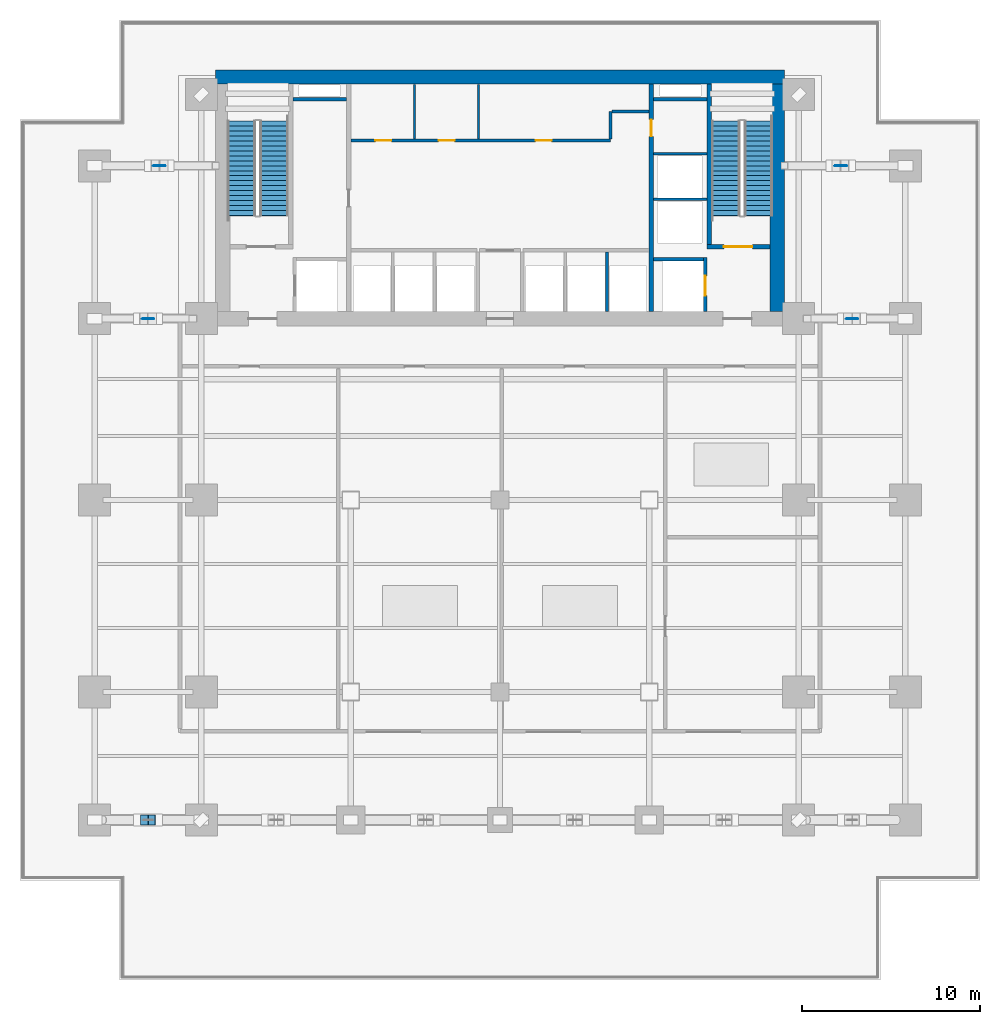
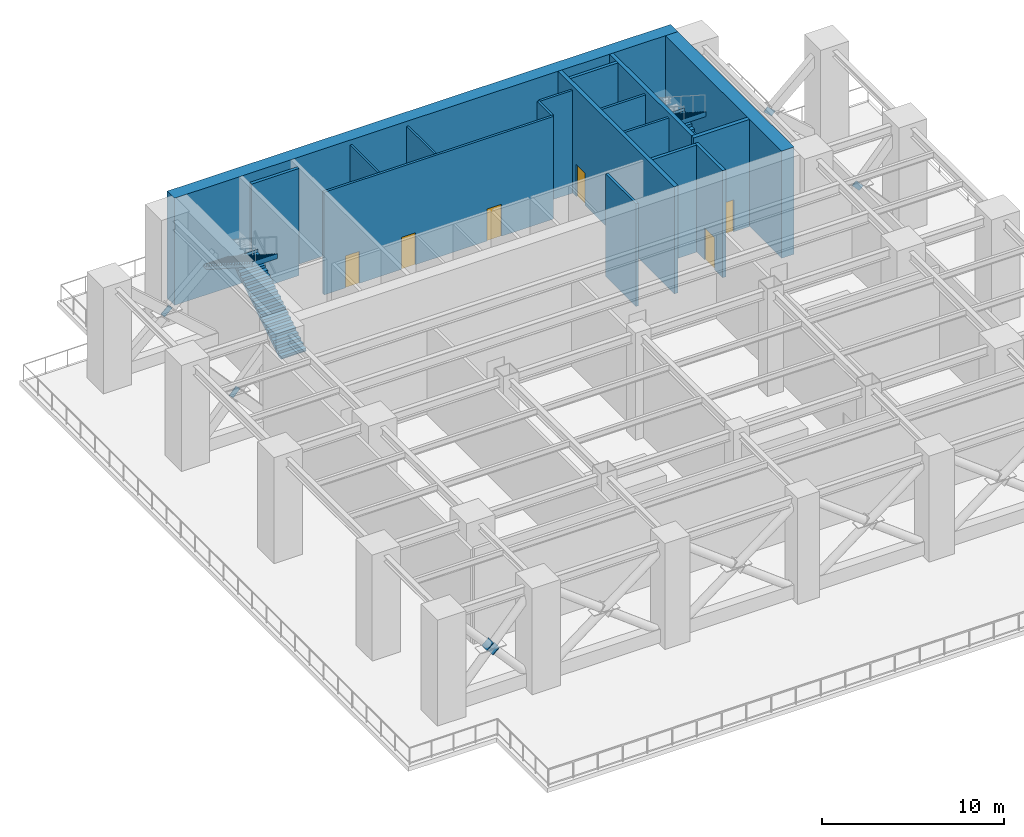
# One storey, part 4 of 10: 17 walls, 6 discrete accessories, 6 doors, 4 stair flights, 6 openings, 2 elements without a shape of their own.
"""IFC4 building model written with IfcOpenShell, lengths in metres."""

from ifc_helpers import new_model, si_unit, direction, frame, frame_2d, origin, origin_2d, place, context, subcontext, project, spatial, polyline, rectangle, outline, extrude, source, transform, mapped, material, layer, layer_set, type_object, element, fill, aggregate, save


model = new_model("IFC4")

# Units and contexts
model_context = context("Model", 3, precision=1e-05, world=origin(), true_north=direction((0.0, 1.0)))
body_context = subcontext(model_context, "Body", "Model", "MODEL_VIEW")
ifc_project = project(units=[si_unit("LENGTHUNIT", "METRE"), si_unit("AREAUNIT", "SQUARE_METRE"), si_unit("VOLUMEUNIT", "CUBIC_METRE"), si_unit("PLANEANGLEUNIT", "RADIAN"), si_unit("MASSUNIT", "GRAM", prefix="KILO")], contexts=[model_context])

# Site, building, storey
site_placement = place(None, origin())
site = spatial("IfcSite", under=ifc_project, at=site_placement, CompositionType="ELEMENT")
building_placement = place(site_placement, origin())
building = spatial("IfcBuilding", under=site, at=building_placement, Name="Sumidabori Civic Tower", CompositionType="ELEMENT")
storey_placement = place(building_placement, frame((0.0, 0.0, 70.39990234375)))
storey = spatial("IfcBuildingStorey", under=building, at=storey_placement, Name="L18", CompositionType="ELEMENT", Elevation=70.39990234375)

# Walls
ifc_material_1 = material(Name="Concrete C60/75", Category="concrete")
ifc_layer_1 = layer(ifc_material_1, 0.800048828125, Name="Concrete C60/75")
ifc_layer_set_1 = layer_set([ifc_layer_1], Name="Concrete C60/75")
wall_type_1 = type_object("IfcWallType", Name="WL-CORE-800", PredefinedType="SHEAR", material=ifc_layer_set_1)
shared_shape_1 = source(origin(), body_context, "Body", "SweptSolid", [
    extrude(rectangle(XDim=32.0, YDim=0.800048828125, at=frame_2d((16.0, 0.0))), origin(), (0.0, 0.0, 1.0), 7.2001953125),
])
wall_1_placement = place(storey_placement, frame((-16.0, 23.800048828125, 0.0), z_axis=(0.0, 0.0, 1.0), x_axis=(1.0, 0.0, 0.0)))
element("IfcWall", 1, at=wall_1_placement, inside=storey, type_object=wall_type_1, Name="Core Shear Wall L18 N", PredefinedType="SHEAR", context=body_context, shape_type="MappedRepresentation", body=[
    mapped(shared_shape_1, transform((0.0, 0.0, 0.0), x_axis=(1.0, 0.0, 0.0), y_axis=(0.0, 1.0, 0.0), z_axis=(0.0, 0.0, 1.0), scale=1.0)),
])
shared_shape_2 = source(origin(), body_context, "Body", "SweptSolid", [
    extrude(rectangle(XDim=12.7998046875, YDim=0.800048828125, at=frame_2d((6.39990234375, 0.0))), origin(), (0.0, 0.0, 1.0), 7.2001953125),
])
wall_2_placement = place(storey_placement, frame((15.60009765625, 10.60009765625, 0.0), z_axis=(0.0, 0.0, 1.0), x_axis=(0.0, 1.0, 0.0)))
element("IfcWall", 2, at=wall_2_placement, inside=storey, type_object=wall_type_1, Name="Core Shear Wall L18 E", PredefinedType="SHEAR", context=body_context, shape_type="MappedRepresentation", body=[
    mapped(shared_shape_2, transform((0.0, 0.0, 0.0), x_axis=(1.0, 0.0, 0.0), y_axis=(0.0, 1.0, 0.0), z_axis=(0.0, 0.0, 1.0), scale=1.0)),
])

# Wall, opening, door
ifc_material_2 = material(Name="Concrete C50/60", Category="concrete")
ifc_layer_2 = layer(ifc_material_2, 0.25, Name="Concrete C50/60")
ifc_layer_set_2 = layer_set([ifc_layer_2], Name="Concrete C50/60")
wall_type_2 = type_object("IfcWallType", Name="WL-SHAFT-250", PredefinedType="SHEAR", material=ifc_layer_set_2)
shared_shape_3 = source(origin(), body_context, "Body", "SweptSolid", [
    extrude(rectangle(XDim=12.7998046875, YDim=0.25, at=frame_2d((6.39990234375, 0.0))), origin(), (0.0, 0.0, 1.0), 7.2001953125),
])
wall_3_placement = place(storey_placement, frame((8.5, 10.60009765625, 0.0), z_axis=(0.0, 0.0, 1.0), x_axis=(0.0, 1.0, 0.0)))
wall_3 = element("IfcWall", 3, at=wall_3_placement, inside=storey, type_object=wall_type_2, Name="Core Shear Wall L18 WEB-E", PredefinedType="SHEAR", context=body_context, shape_type="MappedRepresentation", body=[
    mapped(shared_shape_3, transform((0.0, 0.0, 0.0), x_axis=(1.0, 0.0, 0.0), y_axis=(0.0, 1.0, 0.0), z_axis=(0.0, 0.0, 1.0), scale=1.0)),
])
opening_1_placement = place(wall_3_placement, frame((9.85009765625, 0.0, 0.0)))
opening_1 = element("IfcOpeningElement", 4, at=opening_1_placement, cuts=wall_3, Name="Opening DR-2", PredefinedType="OPENING", context=body_context, shape_type="SweptSolid", body=[
    extrude(rectangle(XDim=0.949951171875, YDim=2.14990234375, at=frame_2d((0.47509765625, 1.074951171875))), frame((0.0, 0.136962890625, 0.0), z_axis=(0.0, -1.0, 0.0), x_axis=(1.0, 0.0, 0.0)), (0.0, 0.0, 1.0), 0.27392578125),
])
ifc_material_3 = material(Name="Japanese Hinoki Timber", Category="wood")
door_type_1 = type_object("IfcDoorType", Name="DR-INT-950", OperationType="NOTDEFINED", PredefinedType="DOOR", material=ifc_material_3)
shared_shape_4 = source(origin(), body_context, "Body", "SweptSolid", [
    extrude(rectangle(XDim=0.949951171875, YDim=2.14990234375, at=frame_2d((0.47509765625, 1.074951171875))), frame((0.0, 0.02490234375, 0.0), z_axis=(0.0, -1.0, 0.0), x_axis=(1.0, 0.0, 0.0)), (0.0, 0.0, 1.0), 0.050048828125),
])
door_1_placement = place(opening_1_placement, origin())
door_1 = element("IfcDoor", 5, at=door_1_placement, inside=storey, type_object=door_type_1, Name="Door DR:L18:WC-ACC", OperationType="SINGLE_SWING_RIGHT", OverallHeight=2.14990234375, OverallWidth=0.949951171875, PredefinedType="DOOR", context=body_context, shape_type="MappedRepresentation", body=[
    mapped(shared_shape_4, transform((0.0, 0.0, 0.0), x_axis=(1.0, 0.0, 0.0), y_axis=(0.0, 1.0, 0.0), z_axis=(0.0, 0.0, 1.0), scale=1.0)),
])
fill(opening_1, door_1)

shared_shape_5 = source(origin(), body_context, "Body", "SweptSolid", [
    extrude(rectangle(XDim=3.554931640625, YDim=0.25, at=frame_2d((1.77734375, 0.0))), origin(), (0.0, 0.0, 1.0), 7.2001953125),
])
wall_4_placement = place(storey_placement, frame((11.64501953125, 14.25, 0.0), z_axis=(0.0, 0.0, 1.0), x_axis=(1.0, 0.0, 0.0)))
wall_4 = element("IfcWall", 6, at=wall_4_placement, inside=storey, type_object=wall_type_2, Name="Core Shear Wall L18 ST2-S", PredefinedType="SHEAR", context=body_context, shape_type="MappedRepresentation", body=[
    mapped(shared_shape_5, transform((0.0, 0.0, 0.0), x_axis=(1.0, 0.0, 0.0), y_axis=(0.0, 1.0, 0.0), z_axis=(0.0, 0.0, 1.0), scale=1.0)),
])
opening_2_placement = place(wall_4_placement, frame((0.949951171875, 0.0, 0.0)))
opening_2 = element("IfcOpeningElement", 7, at=opening_2_placement, cuts=wall_4, Name="Opening DR-FD4", PredefinedType="OPENING", context=body_context, shape_type="SweptSolid", body=[
    extrude(rectangle(XDim=1.60009765625, YDim=2.14990234375, at=frame_2d((0.800048828125, 1.074951171875))), frame((0.0, 0.136962890625, 0.0), z_axis=(0.0, -1.0, 0.0), x_axis=(1.0, 0.0, 0.0)), (0.0, 0.0, 1.0), 0.27392578125),
])
ifc_material_4 = material(Name="Steel SN490", Category="steel")
door_type_2 = type_object("IfcDoorType", Name="DR-FD4", OperationType="DOUBLE_DOOR_SINGLE_SWING", PredefinedType="DOOR", material=ifc_material_4)
shared_shape_6 = source(origin(), body_context, "Body", "SweptSolid", [
    extrude(rectangle(XDim=1.60009765625, YDim=2.14990234375, at=frame_2d((0.800048828125, 1.074951171875))), frame((0.0, 0.02490234375, 0.0), z_axis=(0.0, -1.0, 0.0), x_axis=(1.0, 0.0, 0.0)), (0.0, 0.0, 1.0), 0.050048828125),
])
door_2_placement = place(opening_2_placement, origin())
door_2 = element("IfcDoor", 8, at=door_2_placement, inside=storey, type_object=door_type_2, Name="Door DR:L18:ST2", OperationType="DOUBLE_DOOR_SINGLE_SWING", OverallHeight=2.14990234375, OverallWidth=1.60009765625, PredefinedType="DOOR", context=body_context, shape_type="MappedRepresentation", body=[
    mapped(shared_shape_6, transform((0.0, 0.0, 0.0), x_axis=(1.0, 0.0, 0.0), y_axis=(0.0, 1.0, 0.0), z_axis=(0.0, 0.0, 1.0), scale=1.0)),
])
fill(opening_2, door_2)

# Wall
shared_shape_7 = source(origin(), body_context, "Body", "SweptSolid", [
    extrude(rectangle(XDim=9.02490234375, YDim=0.25, at=frame_2d((4.512451171875, 0.0))), origin(), (0.0, 0.0, 1.0), 7.2001953125),
])
wall_5_placement = place(storey_placement, frame((11.77001953125, 14.375, 0.0), z_axis=(0.0, 0.0, 1.0), x_axis=(0.0, 1.0, 0.0)))
element("IfcWall", 9, at=wall_5_placement, inside=storey, type_object=wall_type_2, Name="Core Shear Wall L18 ST2-W", PredefinedType="SHEAR", context=body_context, shape_type="MappedRepresentation", body=[
    mapped(shared_shape_7, transform((0.0, 0.0, 0.0), x_axis=(1.0, 0.0, 0.0), y_axis=(0.0, 1.0, 0.0), z_axis=(0.0, 0.0, 1.0), scale=1.0)),
])

# Wall, opening, door
ifc_layer_3 = layer(ifc_material_2, 0.199951171875, Name="Concrete C50/60")
ifc_layer_set_3 = layer_set([ifc_layer_3], Name="Concrete C50/60")
wall_type_3 = type_object("IfcWallType", Name="WL-SHAFT-200", PredefinedType="SHEAR", material=ifc_layer_set_3)
shared_shape_8 = source(origin(), body_context, "Body", "SweptSolid", [
    extrude(rectangle(XDim=3.0498046875, YDim=0.199951171875, at=frame_2d((1.52490234375, 0.0))), origin(), (0.0, 0.0, 1.0), 7.2001953125),
])
wall_6_placement = place(storey_placement, frame((11.550048828125, 10.60009765625, 0.0), z_axis=(0.0, 0.0, 1.0), x_axis=(0.0, 1.0, 0.0)))
wall_6 = element("IfcWall", 10, at=wall_6_placement, inside=storey, type_object=wall_type_3, Name="Core Shear Wall L18 EL2-E", PredefinedType="SHEAR", context=body_context, shape_type="MappedRepresentation", body=[
    mapped(shared_shape_8, transform((0.0, 0.0, 0.0), x_axis=(1.0, 0.0, 0.0), y_axis=(0.0, 1.0, 0.0), z_axis=(0.0, 0.0, 1.0), scale=1.0)),
])
opening_3_placement = place(wall_6_placement, frame((0.89990234375, 0.0, 0.0)))
opening_3 = element("IfcOpeningElement", 11, at=opening_3_placement, cuts=wall_6, Name="Opening LD-2", PredefinedType="OPENING", context=body_context, shape_type="SweptSolid", body=[
    extrude(rectangle(XDim=1.10009765625, YDim=2.14990234375, at=frame_2d((0.550048828125, 1.074951171875))), frame((0.0, 0.11181640625, 0.0), z_axis=(0.0, -1.0, 0.0), x_axis=(1.0, 0.0, 0.0)), (0.0, 0.0, 1.0), 0.223876953125),
])
ifc_material_5 = material(Name="Stainless Steel Hairline Finish", Category="steel")
door_type_3 = type_object("IfcDoorType", Name="DR-LD2", OperationType="DOUBLE_DOOR_SLIDING", PredefinedType="DOOR", material=ifc_material_5)
shared_shape_9 = source(origin(), body_context, "Body", "SweptSolid", [
    extrude(rectangle(XDim=1.10009765625, YDim=2.14990234375, at=frame_2d((0.550048828125, 1.074951171875))), frame((0.0, 0.02490234375, 0.0), z_axis=(0.0, -1.0, 0.0), x_axis=(1.0, 0.0, 0.0)), (0.0, 0.0, 1.0), 0.050048828125),
])
door_3_placement = place(opening_3_placement, origin())
door_3 = element("IfcDoor", 12, at=door_3_placement, inside=storey, type_object=door_type_3, Name="Door DR:L18:LD-EL2", OperationType="DOUBLE_DOOR_SLIDING", OverallHeight=2.14990234375, OverallWidth=1.10009765625, PredefinedType="DOOR", context=body_context, shape_type="MappedRepresentation", body=[
    mapped(shared_shape_9, transform((0.0, 0.0, 0.0), x_axis=(1.0, 0.0, 0.0), y_axis=(0.0, 1.0, 0.0), z_axis=(0.0, 0.0, 1.0), scale=1.0)),
])
fill(opening_3, door_3)

# Walls
shared_shape_10 = source(origin(), body_context, "Body", "SweptSolid", [
    extrude(rectangle(XDim=2.824951171875, YDim=0.199951171875, at=frame_2d((1.41259765625, 0.0))), origin(), (0.0, 0.0, 1.0), 7.2001953125),
])
wall_7_placement = place(storey_placement, frame((8.625, 13.550048828125, 0.0), z_axis=(0.0, 0.0, 1.0), x_axis=(1.0, 0.0, 0.0)))
element("IfcWall", 13, at=wall_7_placement, inside=storey, type_object=wall_type_3, Name="Core Shear Wall L18 EL2-N", PredefinedType="SHEAR", context=body_context, shape_type="MappedRepresentation", body=[
    mapped(shared_shape_10, transform((0.0, 0.0, 0.0), x_axis=(1.0, 0.0, 0.0), y_axis=(0.0, 1.0, 0.0), z_axis=(0.0, 0.0, 1.0), scale=1.0)),
])
shared_shape_11 = source(origin(), body_context, "Body", "SweptSolid", [
    extrude(rectangle(XDim=3.02001953125, YDim=0.199951171875, at=frame_2d((1.510009765625, 0.0))), origin(), (0.0, 0.0, 1.0), 7.2001953125),
])
for number, where, z_axis, x_axis, name in (
    (14, (-11.64501953125, 22.550048828125, 0.0), (0.0, 0.0, 1.0), (1.0, 0.0, 0.0), "Core Shear Wall L18 RIS1-S"),
    (15, (8.625, 22.550048828125, 0.0), (0.0, 0.0, 1.0), (1.0, 0.0, 0.0), "Core Shear Wall L18 RIS2-S"),
):
    element("IfcWall", number, at=place(storey_placement, frame(where, z_axis=z_axis, x_axis=x_axis)), inside=storey, type_object=wall_type_3, Name=name, PredefinedType="SHEAR", context=body_context, shape_type="MappedRepresentation", body=[
        mapped(shared_shape_11, transform((0.0, 0.0, 0.0), x_axis=(1.0, 0.0, 0.0), y_axis=(0.0, 1.0, 0.0), z_axis=(0.0, 0.0, 1.0), scale=1.0)),
    ])
ifc_material_6 = material(Name="Gypsum Plasterboard Acoustic Partition")
ifc_layer_4 = layer(ifc_material_6, 0.14990234375, Name="Gypsum Plasterboard Acoustic Partition")
ifc_layer_set_4 = layer_set([ifc_layer_4], Name="Gypsum Plasterboard Acoustic Partition")
wall_type_4 = type_object("IfcWallType", Name="WL-PART-150", PredefinedType="PARTITIONING", material=ifc_layer_set_4)
shared_shape_12 = source(origin(), body_context, "Body", "SweptSolid", [
    extrude(rectangle(XDim=3.010009765625, YDim=0.14990234375, at=frame_2d((1.5048828125, 0.0))), origin(), (0.0, 0.0, 1.0), 6.900146484375),
])
for number, where, z_axis, x_axis, name in (
    (16, (8.6298828125, 16.919921875, 0.0), (0.0, 0.0, 1.0), (1.0, 0.0, 0.0), "Interior Partition WL:L18:DIV-OBS1"),
    (17, (8.6298828125, 19.469970703125, 0.0), (0.0, 0.0, 1.0), (1.0, 0.0, 0.0), "Interior Partition WL:L18:DIV-OBS2"),
):
    element("IfcWall", number, at=place(storey_placement, frame(where, z_axis=z_axis, x_axis=x_axis)), inside=storey, type_object=wall_type_4, Name=name, PredefinedType="PARTITIONING", context=body_context, shape_type="MappedRepresentation", body=[
        mapped(shared_shape_12, transform((0.0, 0.0, 0.0), x_axis=(1.0, 0.0, 0.0), y_axis=(0.0, 1.0, 0.0), z_axis=(0.0, 0.0, 1.0), scale=1.0)),
    ])

# Wall, openings, doors
shared_shape_13 = source(origin(), body_context, "Body", "SweptSolid", [
    extrude(rectangle(XDim=14.590087890625, YDim=0.14990234375, at=frame_2d((7.294921875, 0.0))), origin(), (0.0, 0.0, 1.0), 6.900146484375),
])
wall_8_placement = place(storey_placement, frame((-8.3701171875, 20.219970703125, 0.0), z_axis=(0.0, 0.0, 1.0), x_axis=(1.0, 0.0, 0.0)))
wall_8 = element("IfcWall", 18, at=wall_8_placement, inside=storey, type_object=wall_type_4, Name="Interior Partition WL:L18:CBAND-M", PredefinedType="PARTITIONING", context=body_context, shape_type="MappedRepresentation", body=[
    mapped(shared_shape_13, transform((0.0, 0.0, 0.0), x_axis=(1.0, 0.0, 0.0), y_axis=(0.0, 1.0, 0.0), z_axis=(0.0, 0.0, 1.0), scale=1.0)),
])
opening_4_placement = place(wall_8_placement, frame((1.360107421875, 0.0, 0.0)))
opening_4 = element("IfcOpeningElement", 19, at=opening_4_placement, cuts=wall_8, Name="Opening DR-1", PredefinedType="OPENING", context=body_context, shape_type="SweptSolid", body=[
    extrude(rectangle(XDim=0.89990234375, YDim=2.14990234375, at=frame_2d((0.449951171875, 1.074951171875))), frame((0.0, 0.0869140625, 0.0), z_axis=(0.0, -1.0, 0.0), x_axis=(1.0, 0.0, 0.0)), (0.0, 0.0, 1.0), 0.173828125),
])
opening_5_placement = place(wall_8_placement, frame((4.919921875, 0.0, 0.0)))
opening_5 = element("IfcOpeningElement", 20, at=opening_5_placement, cuts=wall_8, Name="Opening DR-1", PredefinedType="OPENING", context=body_context, shape_type="SweptSolid", body=[
    extrude(rectangle(XDim=0.89990234375, YDim=2.14990234375, at=frame_2d((0.449951171875, 1.074951171875))), frame((0.0, 0.0869140625, 0.0), z_axis=(0.0, -1.0, 0.0), x_axis=(1.0, 0.0, 0.0)), (0.0, 0.0, 1.0), 0.173828125),
])
opening_6_placement = place(wall_8_placement, frame((10.3701171875, 0.0, 0.0)))
opening_6 = element("IfcOpeningElement", 21, at=opening_6_placement, cuts=wall_8, Name="Opening DR-1", PredefinedType="OPENING", context=body_context, shape_type="SweptSolid", body=[
    extrude(rectangle(XDim=0.89990234375, YDim=2.14990234375, at=frame_2d((0.449951171875, 1.074951171875))), frame((0.0, 0.0869140625, 0.0), z_axis=(0.0, -1.0, 0.0), x_axis=(1.0, 0.0, 0.0)), (0.0, 0.0, 1.0), 0.173828125),
])
door_type_4 = type_object("IfcDoorType", Name="DR-INT-900", OperationType="NOTDEFINED", PredefinedType="DOOR", material=ifc_material_3)
shared_shape_14 = source(origin(), body_context, "Body", "SweptSolid", [
    extrude(rectangle(XDim=0.89990234375, YDim=2.14990234375, at=frame_2d((0.449951171875, 1.074951171875))), frame((0.0, 0.02490234375, 0.0), z_axis=(0.0, -1.0, 0.0), x_axis=(1.0, 0.0, 0.0)), (0.0, 0.0, 1.0), 0.050048828125),
])
door_4_placement = place(opening_4_placement, origin())
door_4 = element("IfcDoor", 22, at=door_4_placement, inside=storey, type_object=door_type_4, Name="Door DR:L18:CB-1", OperationType="SINGLE_SWING_LEFT", OverallHeight=2.14990234375, OverallWidth=0.89990234375, PredefinedType="DOOR", context=body_context, shape_type="MappedRepresentation", body=[
    mapped(shared_shape_14, transform((0.0, 0.0, 0.0), x_axis=(1.0, 0.0, 0.0), y_axis=(0.0, 1.0, 0.0), z_axis=(0.0, 0.0, 1.0), scale=1.0)),
])
fill(opening_4, door_4)
door_5_placement = place(opening_5_placement, origin())
door_5 = element("IfcDoor", 23, at=door_5_placement, inside=storey, type_object=door_type_4, Name="Door DR:L18:CB-2", OperationType="SINGLE_SWING_RIGHT", OverallHeight=2.14990234375, OverallWidth=0.89990234375, PredefinedType="DOOR", context=body_context, shape_type="MappedRepresentation", body=[
    mapped(shared_shape_14, transform((0.0, 0.0, 0.0), x_axis=(1.0, 0.0, 0.0), y_axis=(0.0, 1.0, 0.0), z_axis=(0.0, 0.0, 1.0), scale=1.0)),
])
fill(opening_5, door_5)
door_6_placement = place(opening_6_placement, origin())
door_6 = element("IfcDoor", 24, at=door_6_placement, inside=storey, type_object=door_type_4, Name="Door DR:L18:CB-3", OperationType="SINGLE_SWING_LEFT", OverallHeight=2.14990234375, OverallWidth=0.89990234375, PredefinedType="DOOR", context=body_context, shape_type="MappedRepresentation", body=[
    mapped(shared_shape_14, transform((0.0, 0.0, 0.0), x_axis=(1.0, 0.0, 0.0), y_axis=(0.0, 1.0, 0.0), z_axis=(0.0, 0.0, 1.0), scale=1.0)),
])
fill(opening_6, door_6)

# Walls
shared_shape_15 = source(origin(), body_context, "Body", "SweptSolid", [
    extrude(rectangle(XDim=1.550048828125, YDim=0.14990234375, at=frame_2d((0.77490234375, 0.0))), origin(), (0.0, 0.0, 1.0), 6.900146484375),
])
wall_9_placement = place(storey_placement, frame((6.219970703125, 20.300048828125, 0.0), z_axis=(0.0, 0.0, 1.0), x_axis=(0.0, 1.0, 0.0)))
element("IfcWall", 25, at=wall_9_placement, inside=storey, type_object=wall_type_4, Name="Interior Partition WL:L18:CBAND-ME1", PredefinedType="PARTITIONING", context=body_context, shape_type="MappedRepresentation", body=[
    mapped(shared_shape_15, transform((0.0, 0.0, 0.0), x_axis=(1.0, 0.0, 0.0), y_axis=(0.0, 1.0, 0.0), z_axis=(0.0, 0.0, 1.0), scale=1.0)),
])
shared_shape_16 = source(origin(), body_context, "Body", "SweptSolid", [
    extrude(rectangle(XDim=2.070068359375, YDim=0.14990234375, at=frame_2d((1.03515625, 0.0))), origin(), (0.0, 0.0, 1.0), 6.900146484375),
])
wall_10_placement = place(storey_placement, frame((6.300048828125, 21.85009765625, 0.0), z_axis=(0.0, 0.0, 1.0), x_axis=(1.0, 0.0, 0.0)))
element("IfcWall", 26, at=wall_10_placement, inside=storey, type_object=wall_type_4, Name="Interior Partition WL:L18:CBAND-ME2", PredefinedType="PARTITIONING", context=body_context, shape_type="MappedRepresentation", body=[
    mapped(shared_shape_16, transform((0.0, 0.0, 0.0), x_axis=(1.0, 0.0, 0.0), y_axis=(0.0, 1.0, 0.0), z_axis=(0.0, 0.0, 1.0), scale=1.0)),
])
shared_shape_17 = source(origin(), body_context, "Body", "SweptSolid", [
    extrude(rectangle(XDim=3.33984375, YDim=0.14990234375, at=frame_2d((1.669921875, 0.0))), origin(), (0.0, 0.0, 1.0), 6.900146484375),
])
wall_11_placement = place(storey_placement, frame((6.02001953125, 10.60009765625, 0.0), z_axis=(0.0, 0.0, 1.0), x_axis=(0.0, 1.0, 0.0)))
element("IfcWall", 27, at=wall_11_placement, inside=storey, type_object=wall_type_4, Name="Interior Partition WL:L18:DIV-PLM2", PredefinedType="PARTITIONING", context=body_context, shape_type="MappedRepresentation", body=[
    mapped(shared_shape_17, transform((0.0, 0.0, 0.0), x_axis=(1.0, 0.0, 0.0), y_axis=(0.0, 1.0, 0.0), z_axis=(0.0, 0.0, 1.0), scale=1.0)),
])
ifc_layer_5 = layer(ifc_material_6, 0.1201171875, Name="Gypsum Plasterboard Acoustic Partition")
ifc_layer_set_5 = layer_set([ifc_layer_5], Name="Gypsum Plasterboard Acoustic Partition")
wall_type_5 = type_object("IfcWallType", Name="WL-PART-120", PredefinedType="PARTITIONING", material=ifc_layer_set_5)
shared_shape_18 = source(origin(), body_context, "Body", "SweptSolid", [
    extrude(rectangle(XDim=3.0400390625, YDim=0.1201171875, at=frame_2d((1.52001953125, 0.0))), origin(), (0.0, 0.0, 1.0), 6.900146484375),
])
for number, where, z_axis, x_axis, name in (
    (28, (-4.800048828125, 20.320068359375, 0.0), (0.0, 0.0, 1.0), (0.0, 1.0, 0.0), "Interior Partition WL:L18:LV8-S1"),
    (29, (-1.199951171875, 20.320068359375, 0.0), (0.0, 0.0, 1.0), (0.0, 1.0, 0.0), "Interior Partition WL:L18:LV8-S2"),
):
    element("IfcWall", number, at=place(storey_placement, frame(where, z_axis=z_axis, x_axis=x_axis)), inside=storey, type_object=wall_type_5, Name=name, PredefinedType="PARTITIONING", context=body_context, shape_type="MappedRepresentation", body=[
        mapped(shared_shape_18, transform((0.0, 0.0, 0.0), x_axis=(1.0, 0.0, 0.0), y_axis=(0.0, 1.0, 0.0), z_axis=(0.0, 0.0, 1.0), scale=1.0)),
    ])

# Stair, stair flights
ifc_material_7 = material(Name="Concrete C40/50", Category="concrete")
stair_type = type_object("IfcStairType", Name="ST-CORE-1600", PredefinedType="HALF_TURN_STAIR", material=ifc_material_7)
stair_1_placement = place(storey_placement, origin())
stair_1 = element("IfcStair", 30, at=stair_1_placement, inside=storey, type_object=stair_type, Name="L18 ST-1", PredefinedType="HALF_TURN_STAIR")
stair_flight_type = type_object("IfcStairFlightType", Name="SF-CORE-1600", PredefinedType="STRAIGHT", material=ifc_material_7)
shared_shape_19 = source(origin(), body_context, "Body", "SweptSolid", [
    extrude(outline(polyline([(-0.02490234375, 0.0), (-0.02490234375, 0.0400390625), (0.0, 0.0400390625), (0.0, 0.179931640625), (0.280029296875, 0.179931640625), (0.280029296875, 0.360107421875), (0.56005859375, 0.360107421875), (0.56005859375, 0.5400390625), (0.840087890625, 0.5400390625), (0.840087890625, 0.719970703125), (1.1201171875, 0.719970703125), (1.1201171875, 0.89990234375), (1.39990234375, 0.89990234375), (1.39990234375, 1.080078125), (1.679931640625, 1.080078125), (1.679931640625, 1.260009765625), (1.9599609375, 1.260009765625), (1.9599609375, 1.43994140625), (2.239990234375, 1.43994140625), (2.239990234375, 1.6201171875), (2.52001953125, 1.6201171875), (2.52001953125, 1.800048828125), (2.800048828125, 1.800048828125), (2.800048828125, 1.97998046875), (3.080078125, 1.97998046875), (3.080078125, 2.159912109375), (3.360107421875, 2.159912109375), (3.360107421875, 2.340087890625), (3.639892578125, 2.340087890625), (3.639892578125, 2.52001953125), (3.919921875, 2.52001953125), (3.919921875, 2.699951171875), (4.199951171875, 2.699951171875), (4.199951171875, 2.8798828125), (4.47998046875, 2.8798828125), (4.47998046875, 3.06005859375), (4.760009765625, 3.06005859375), (4.760009765625, 3.239990234375), (5.0400390625, 3.239990234375), (5.0400390625, 3.419921875), (5.320068359375, 3.419921875), (5.320068359375, 3.60009765625), (5.344970703125, 3.60009765625), (5.344970703125, 3.4501953125), (5.320068359375, 3.24169921875), (0.277099609375, 0.0), (-0.02490234375, 0.0)])), frame((0.0, 0.800048828125, 0.0), z_axis=(0.0, -1.0, 0.0), x_axis=(1.0, 0.0, 0.0)), (0.0, 0.0, 1.0), 1.60009765625),
])
stair_flight_1_placement = place(storey_placement, frame((-12.699951171875, 16.0, 0.0), z_axis=(0.0, 0.0, 1.0), x_axis=(0.0, 1.0, 0.0)))
stair_flight_1 = element("IfcStairFlight", 31, at=stair_flight_1_placement, type_object=stair_flight_type, Name="ST-1 flight 1", NumberOfRisers=20, NumberOfTreads=19, PredefinedType="STRAIGHT", RiserHeight=0.18, TreadLength=0.28, context=body_context, shape_type="MappedRepresentation", body=[
    mapped(shared_shape_19, transform((0.0, 0.0, 0.0), x_axis=(1.0, 0.0, 0.0), y_axis=(0.0, 1.0, 0.0), z_axis=(0.0, 0.0, 1.0), scale=1.0)),
])
stair_flight_2_placement = place(storey_placement, frame((-14.5400390625, 21.320068359375, 3.60009765625), z_axis=(0.0, 0.0, 1.0), x_axis=(0.0, -1.0, 0.0)))
stair_flight_2 = element("IfcStairFlight", 32, at=stair_flight_2_placement, type_object=stair_flight_type, Name="ST-1 flight 2", NumberOfRisers=20, NumberOfTreads=19, PredefinedType="STRAIGHT", RiserHeight=0.18, TreadLength=0.28, context=body_context, shape_type="MappedRepresentation", body=[
    mapped(shared_shape_19, transform((0.0, 0.0, 0.0), x_axis=(1.0, 0.0, 0.0), y_axis=(0.0, 1.0, 0.0), z_axis=(0.0, 0.0, 1.0), scale=1.0)),
])
aggregate(stair_1, [stair_flight_1, stair_flight_2])

stair_2_placement = place(storey_placement, origin())
stair_2 = element("IfcStair", 33, at=stair_2_placement, inside=storey, type_object=stair_type, Name="L18 ST-2", PredefinedType="HALF_TURN_STAIR")
stair_flight_3_placement = place(storey_placement, frame((14.5400390625, 16.0, 0.0), z_axis=(0.0, 0.0, 1.0), x_axis=(0.0, 1.0, 0.0)))
stair_flight_3 = element("IfcStairFlight", 34, at=stair_flight_3_placement, type_object=stair_flight_type, Name="ST-2 flight 1", NumberOfRisers=20, NumberOfTreads=19, PredefinedType="STRAIGHT", RiserHeight=0.18, TreadLength=0.28, context=body_context, shape_type="MappedRepresentation", body=[
    mapped(shared_shape_19, transform((0.0, 0.0, 0.0), x_axis=(1.0, 0.0, 0.0), y_axis=(0.0, 1.0, 0.0), z_axis=(0.0, 0.0, 1.0), scale=1.0)),
])
stair_flight_4_placement = place(storey_placement, frame((12.699951171875, 21.320068359375, 3.60009765625), z_axis=(0.0, 0.0, 1.0), x_axis=(0.0, -1.0, 0.0)))
stair_flight_4 = element("IfcStairFlight", 35, at=stair_flight_4_placement, type_object=stair_flight_type, Name="ST-2 flight 2", NumberOfRisers=20, NumberOfTreads=19, PredefinedType="STRAIGHT", RiserHeight=0.18, TreadLength=0.28, context=body_context, shape_type="MappedRepresentation", body=[
    mapped(shared_shape_19, transform((0.0, 0.0, 0.0), x_axis=(1.0, 0.0, 0.0), y_axis=(0.0, 1.0, 0.0), z_axis=(0.0, 0.0, 1.0), scale=1.0)),
])
aggregate(stair_2, [stair_flight_3, stair_flight_4])

# Discrete accessories
ifc_layer_6 = layer(ifc_material_4, 0.028076171875, Name="Steel SN490")
ifc_layer_set_6 = layer_set([ifc_layer_6], Name="Steel SN490")
discrete_accessory_type_1 = type_object("IfcDiscreteAccessoryType", Name="AC-CAP-SN490", PredefinedType="USERDEFINED", material=ifc_layer_set_6)
shared_shape_20 = source(origin(), body_context, "Body", "SweptSolid", [
    extrude(rectangle(XDim=0.568115234375, YDim=0.568115234375, at=origin_2d()), origin(), (0.0, 0.0, 1.0), 0.0400390625),
])
for number, where, z_axis, x_axis, name in (
    (36, (-20.0029296875, -18.0, 3.752685546875), (0.663230066188, 0.0, -0.748415579277), (0.0, 1.0, 0.0), "Hollow Section End Cap Plate XND-BT-1 Lower"),
    (37, (-19.59716796875, -18.0, 3.297607421875), (-0.666258670845, 0.0, 0.745720714157), (0.0, -1.0, 0.0), "Hollow Section End Cap Plate XND-BT-1 Upper"),
):
    element("IfcDiscreteAccessory", number, at=place(storey_placement, frame(where, z_axis=z_axis, x_axis=x_axis)), inside=storey, type_object=discrete_accessory_type_1, Name=name, ObjectType="End Cap Plate", PredefinedType="USERDEFINED", context=body_context, shape_type="MappedRepresentation", body=[
        mapped(shared_shape_20, transform((0.0, 0.0, 0.0), x_axis=(1.0, 0.0, 0.0), y_axis=(0.0, 1.0, 0.0), z_axis=(0.0, 0.0, 1.0), scale=1.0)),
    ])
ifc_layer_7 = layer(ifc_material_4, 0.0400390625, Name="Steel SN490")
ifc_layer_set_7 = layer_set([ifc_layer_7], Name="Steel SN490")
discrete_accessory_type_2 = type_object("IfcDiscreteAccessoryType", Name="AC-XND-SN490", PredefinedType="BRACKET", material=ifc_layer_set_7)
shared_shape_21 = source(origin(), body_context, "Body", "SweptSolid", [
    extrude(rectangle(XDim=0.0400390625, YDim=0.360107421875, at=origin_2d()), origin(), (0.0, 0.0, 1.0), 0.666748046875),
])
for number, where, z_axis, x_axis, name in (
    (38, (-19.578125, 10.199951171875, 3.77392578125), (-0.665680985742, 0.0, -0.746236440562), (0.0, -1.0, 0.0), "X-Brace Crossing Gusset Node XND-OT-W1"),
    (39, (19.578125, 10.199951171875, 3.77392578125), (0.665680985742, 0.0, -0.746236440562), (0.0, 1.0, 0.0), "X-Brace Crossing Gusset Node XND-OT-E1"),
):
    element("IfcDiscreteAccessory", number, at=place(storey_placement, frame(where, z_axis=z_axis, x_axis=x_axis)), inside=storey, type_object=discrete_accessory_type_2, Name=name, PredefinedType="BRACKET", context=body_context, shape_type="MappedRepresentation", body=[
        mapped(shared_shape_21, transform((0.0, 0.0, 0.0), x_axis=(1.0, 0.0, 0.0), y_axis=(0.0, 1.0, 0.0), z_axis=(0.0, 0.0, 1.0), scale=1.0)),
    ])
shared_shape_22 = source(origin(), body_context, "Body", "SweptSolid", [
    extrude(rectangle(XDim=0.0400390625, YDim=0.360107421875, at=origin_2d()), origin(), (0.0, 0.0, 1.0), 0.6650390625),
])
for number, where, z_axis, x_axis, name in (
    (40, (-18.912109375, 18.800048828125, 3.746826171875), (-0.74546206248, 0.0, -0.666548057835), (0.0, -1.0, 0.0), "X-Brace Crossing Gusset Node XND-OT-W2"),
    (41, (18.912109375, 18.800048828125, 3.746826171875), (0.74546206248, 0.0, -0.666548057835), (0.0, 1.0, 0.0), "X-Brace Crossing Gusset Node XND-OT-E2"),
):
    element("IfcDiscreteAccessory", number, at=place(storey_placement, frame(where, z_axis=z_axis, x_axis=x_axis)), inside=storey, type_object=discrete_accessory_type_2, Name=name, PredefinedType="BRACKET", context=body_context, shape_type="MappedRepresentation", body=[
        mapped(shared_shape_22, transform((0.0, 0.0, 0.0), x_axis=(1.0, 0.0, 0.0), y_axis=(0.0, 1.0, 0.0), z_axis=(0.0, 0.0, 1.0), scale=1.0)),
    ])

save(model, "model.ifc")
